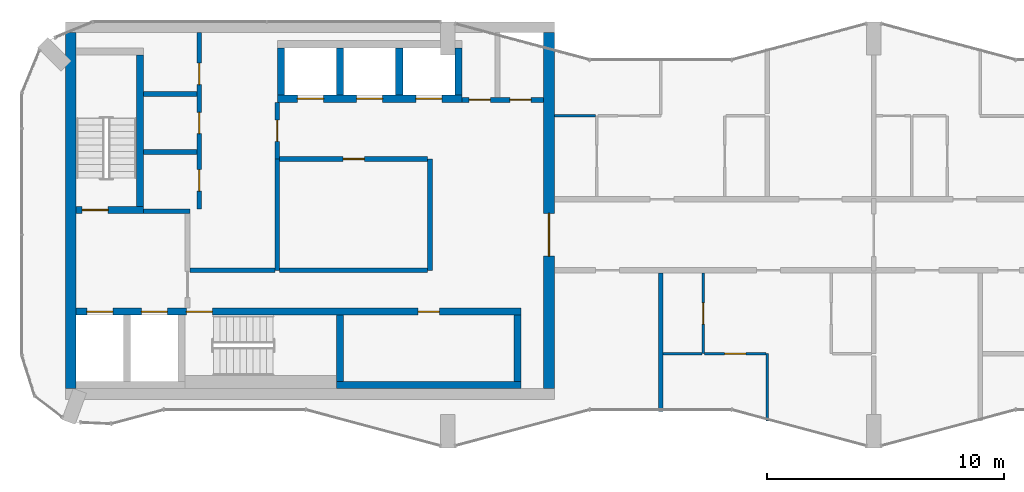
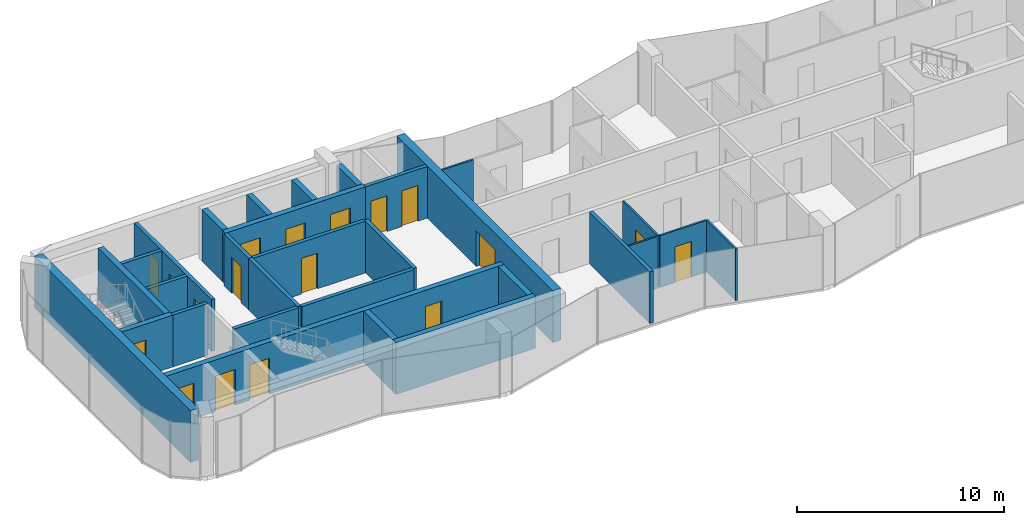
# One storey, part 7 of 10: 30 walls, 18 doors, 18 openings.
"""IFC4 building model written with IfcOpenShell, lengths in metres."""

from ifc_helpers import new_model, si_unit, direction, frame, frame_2d, origin, place, context, subcontext, project, spatial, rectangle, extrude, material, layer, layer_set, type_object, element, fill, save


model = new_model("IFC4")

# Units and contexts
model_context = context("Model", 3, precision=1e-05, world=origin(), true_north=direction((0.0, 1.0)))
body_context = subcontext(model_context, "Body", "Model", "MODEL_VIEW")
ifc_project = project(units=[si_unit("LENGTHUNIT", "METRE"), si_unit("AREAUNIT", "SQUARE_METRE"), si_unit("VOLUMEUNIT", "CUBIC_METRE"), si_unit("PLANEANGLEUNIT", "RADIAN"), si_unit("MASSUNIT", "GRAM", prefix="KILO")], contexts=[model_context])

# Site, building, storey
site_placement = place(None, origin())
site = spatial("IfcSite", under=ifc_project, at=site_placement, CompositionType="ELEMENT")
building_placement = place(site_placement, origin())
building = spatial("IfcBuilding", under=site, at=building_placement, Name="Plateau Cross Towers", CompositionType="ELEMENT")
storey_placement = place(building_placement, frame((0.0, 0.0, 284.39990234375)))
storey = spatial("IfcBuildingStorey", under=building, at=storey_placement, Name="L75", CompositionType="ELEMENT", Elevation=284.39990234375)

# Walls
ifc_material_1 = material(Name="Concrete block, plastered both sides", Category="concrete")
ifc_layer_1 = layer(ifc_material_1, 0.199951171875)
ifc_layer_set_1 = layer_set([ifc_layer_1], Name="Concrete block, plastered both sides")
wall_type_1 = type_object("IfcWallType", Name="Core partition 200", PredefinedType="PARTITIONING", material=ifc_layer_set_1)
wall_1_placement = place(storey_placement, frame((5.14990234375, 10.0, 0.0), z_axis=(0.0, 0.0, 1.0), x_axis=(1.0, 0.0, 0.0)))
element("IfcWall", 1, at=wall_1_placement, inside=storey, type_object=wall_type_1, Name="Core partition", PredefinedType="PARTITIONING", context=body_context, shape_type="SweptSolid", body=[
    extrude(rectangle(XDim=1.9501953125, YDim=0.199951171875, at=frame_2d((0.97509765625, 0.0))), origin(), (0.0, 0.0, 1.0), 3.050048828125),
])
wall_2_placement = place(storey_placement, frame((7.10009765625, 7.5, 0.0), z_axis=(0.0, 0.0, 1.0), x_axis=(1.0, 0.0, 0.0)))
element("IfcWall", 2, at=wall_2_placement, inside=storey, type_object=wall_type_1, Name="Core partition", PredefinedType="PARTITIONING", context=body_context, shape_type="SweptSolid", body=[
    extrude(rectangle(XDim=3.599853515625, YDim=0.199951171875, at=frame_2d((1.7998046875, 0.0))), origin(), (0.0, 0.0, 1.0), 3.050048828125),
])

# Wall, opening, door
wall_3_placement = place(storey_placement, frame((10.800048828125, 12.199951171875, 0.0), z_axis=(0.0, 0.0, 1.0), x_axis=(0.0, 1.0, 0.0)))
wall_3 = element("IfcWall", 3, at=wall_3_placement, inside=storey, type_object=wall_type_1, Name="Core partition", PredefinedType="PARTITIONING", context=body_context, shape_type="SweptSolid", body=[
    extrude(rectangle(XDim=2.400146484375, YDim=0.199951171875, at=frame_2d((1.2001953125, 0.0))), origin(), (0.0, 0.0, 1.0), 3.050048828125),
])
opening_1_placement = place(wall_3_placement, frame((0.75, 0.0, 0.0)))
opening_1 = element("IfcOpeningElement", 4, at=opening_1_placement, cuts=wall_3, Name="Opening RD1", PredefinedType="OPENING", context=body_context, shape_type="SweptSolid", body=[
    extrude(rectangle(XDim=0.89990234375, YDim=2.10009765625, at=frame_2d((0.449951171875, 1.050048828125))), frame((0.0, 0.10986328125, 0.0), z_axis=(0.0, -1.0, 0.0), x_axis=(1.0, 0.0, 0.0)), (0.0, 0.0, 1.0), 0.219970703125),
])
ifc_material_2 = material(Name="Timber, fire-resisting leaf", Category="wood")
door_type_1 = type_object("IfcDoorType", Name="Core service door 900", OperationType="NOTDEFINED", PredefinedType="DOOR", material=ifc_material_2)
door_1_placement = place(opening_1_placement, origin())
door_1 = element("IfcDoor", 5, at=door_1_placement, inside=storey, type_object=door_type_1, Name="Core service door RD1", OperationType="SINGLE_SWING_LEFT", OverallHeight=2.10009765625, OverallWidth=0.89990234375, PredefinedType="DOOR", context=body_context, shape_type="SweptSolid", body=[
    extrude(rectangle(XDim=0.89990234375, YDim=2.10009765625, at=frame_2d((0.449951171875, 1.050048828125))), frame((0.0, 0.02490234375, 0.0), z_axis=(0.0, -1.0, 0.0), x_axis=(1.0, 0.0, 0.0)), (0.0, 0.0, 1.0), 0.050048828125),
])
fill(opening_1, door_1)

# Walls
wall_4_placement = place(storey_placement, frame((10.800048828125, 7.5, 0.0), z_axis=(0.0, 0.0, 1.0), x_axis=(0.0, 1.0, 0.0)))
element("IfcWall", 6, at=wall_4_placement, inside=storey, type_object=wall_type_1, Name="Core partition", PredefinedType="PARTITIONING", context=body_context, shape_type="SweptSolid", body=[
    extrude(rectangle(XDim=4.699951171875, YDim=0.199951171875, at=frame_2d((2.35009765625, 0.0))), origin(), (0.0, 0.0, 1.0), 3.050048828125),
])
wall_5_placement = place(storey_placement, frame((10.89990234375, 7.5, 0.0), z_axis=(0.0, 0.0, 1.0), x_axis=(1.0, 0.0, 0.0)))
element("IfcWall", 7, at=wall_5_placement, inside=storey, type_object=wall_type_1, Name="Core partition", PredefinedType="PARTITIONING", context=body_context, shape_type="SweptSolid", body=[
    extrude(rectangle(XDim=6.25, YDim=0.199951171875, at=frame_2d((3.125, 0.0))), origin(), (0.0, 0.0, 1.0), 3.050048828125),
])
wall_6_placement = place(storey_placement, frame((17.25, 7.5, 0.0), z_axis=(0.0, 0.0, 1.0), x_axis=(0.0, 1.0, 0.0)))
element("IfcWall", 8, at=wall_6_placement, inside=storey, type_object=wall_type_1, Name="Core partition", PredefinedType="PARTITIONING", context=body_context, shape_type="SweptSolid", body=[
    extrude(rectangle(XDim=4.699951171875, YDim=0.199951171875, at=frame_2d((2.35009765625, 0.0))), origin(), (0.0, 0.0, 1.0), 3.050048828125),
])

# Wall, opening, door
wall_7_placement = place(storey_placement, frame((10.89990234375, 12.199951171875, 0.0), z_axis=(0.0, 0.0, 1.0), x_axis=(1.0, 0.0, 0.0)))
wall_7 = element("IfcWall", 9, at=wall_7_placement, inside=storey, type_object=wall_type_1, Name="Core partition", PredefinedType="PARTITIONING", context=body_context, shape_type="SweptSolid", body=[
    extrude(rectangle(XDim=6.25, YDim=0.199951171875, at=frame_2d((3.125, 0.0))), origin(), (0.0, 0.0, 1.0), 3.050048828125),
])
opening_2_placement = place(wall_7_placement, frame((2.675048828125, 0.0, 0.0)))
opening_2 = element("IfcOpeningElement", 10, at=opening_2_placement, cuts=wall_7, Name="Opening RD1", PredefinedType="OPENING", context=body_context, shape_type="SweptSolid", body=[
    extrude(rectangle(XDim=0.89990234375, YDim=2.10009765625, at=frame_2d((0.449951171875, 1.050048828125))), frame((0.0, 0.10986328125, 0.0), z_axis=(0.0, -1.0, 0.0), x_axis=(1.0, 0.0, 0.0)), (0.0, 0.0, 1.0), 0.219970703125),
])
door_2_placement = place(opening_2_placement, origin())
door_2 = element("IfcDoor", 11, at=door_2_placement, inside=storey, type_object=door_type_1, Name="Core service door RD1", OperationType="SINGLE_SWING_LEFT", OverallHeight=2.10009765625, OverallWidth=0.89990234375, PredefinedType="DOOR", context=body_context, shape_type="SweptSolid", body=[
    extrude(rectangle(XDim=0.89990234375, YDim=2.10009765625, at=frame_2d((0.449951171875, 1.050048828125))), frame((0.0, 0.02490234375, 0.0), z_axis=(0.0, -1.0, 0.0), x_axis=(1.0, 0.0, 0.0)), (0.0, 0.0, 1.0), 0.050048828125),
])
fill(opening_2, door_2)

# Wall, openings, doors
wall_8_placement = place(storey_placement, frame((7.5, 10.10009765625, 0.0), z_axis=(0.0, 0.0, 1.0), x_axis=(0.0, 1.0, 0.0)))
wall_8 = element("IfcWall", 12, at=wall_8_placement, inside=storey, type_object=wall_type_1, Name="Core partition", PredefinedType="PARTITIONING", context=body_context, shape_type="SweptSolid", body=[
    extrude(rectangle(XDim=7.449951171875, YDim=0.199951171875, at=frame_2d((3.72509765625, 0.0))), origin(), (0.0, 0.0, 1.0), 3.050048828125),
])
opening_3_placement = place(wall_8_placement, frame((0.75, 0.0, 0.0)))
opening_3 = element("IfcOpeningElement", 13, at=opening_3_placement, cuts=wall_8, Name="Opening RD1", PredefinedType="OPENING", context=body_context, shape_type="SweptSolid", body=[
    extrude(rectangle(XDim=0.89990234375, YDim=2.10009765625, at=frame_2d((0.449951171875, 1.050048828125))), frame((0.0, 0.10986328125, 0.0), z_axis=(0.0, -1.0, 0.0), x_axis=(1.0, 0.0, 0.0)), (0.0, 0.0, 1.0), 0.219970703125),
])
opening_4_placement = place(wall_8_placement, frame((3.175048828125, 0.0, 0.0)))
opening_4 = element("IfcOpeningElement", 14, at=opening_4_placement, cuts=wall_8, Name="Opening RD1", PredefinedType="OPENING", context=body_context, shape_type="SweptSolid", body=[
    extrude(rectangle(XDim=0.89990234375, YDim=2.10009765625, at=frame_2d((0.449951171875, 1.050048828125))), frame((0.0, 0.10986328125, 0.0), z_axis=(0.0, -1.0, 0.0), x_axis=(1.0, 0.0, 0.0)), (0.0, 0.0, 1.0), 0.219970703125),
])
opening_5_placement = place(wall_8_placement, frame((5.25, 0.0, 0.0)))
opening_5 = element("IfcOpeningElement", 15, at=opening_5_placement, cuts=wall_8, Name="Opening RD1", PredefinedType="OPENING", context=body_context, shape_type="SweptSolid", body=[
    extrude(rectangle(XDim=0.89990234375, YDim=2.10009765625, at=frame_2d((0.449951171875, 1.050048828125))), frame((0.0, 0.10986328125, 0.0), z_axis=(0.0, -1.0, 0.0), x_axis=(1.0, 0.0, 0.0)), (0.0, 0.0, 1.0), 0.219970703125),
])
door_3_placement = place(opening_3_placement, origin())
door_3 = element("IfcDoor", 16, at=door_3_placement, inside=storey, type_object=door_type_1, Name="Core service door RD1", OperationType="SINGLE_SWING_RIGHT", OverallHeight=2.10009765625, OverallWidth=0.89990234375, PredefinedType="DOOR", context=body_context, shape_type="SweptSolid", body=[
    extrude(rectangle(XDim=0.89990234375, YDim=2.10009765625, at=frame_2d((0.449951171875, 1.050048828125))), frame((0.0, 0.02490234375, 0.0), z_axis=(0.0, -1.0, 0.0), x_axis=(1.0, 0.0, 0.0)), (0.0, 0.0, 1.0), 0.050048828125),
])
fill(opening_3, door_3)
door_4_placement = place(opening_4_placement, origin())
door_4 = element("IfcDoor", 17, at=door_4_placement, inside=storey, type_object=door_type_1, Name="Core service door RD1", OperationType="SINGLE_SWING_RIGHT", OverallHeight=2.10009765625, OverallWidth=0.89990234375, PredefinedType="DOOR", context=body_context, shape_type="SweptSolid", body=[
    extrude(rectangle(XDim=0.89990234375, YDim=2.10009765625, at=frame_2d((0.449951171875, 1.050048828125))), frame((0.0, 0.02490234375, 0.0), z_axis=(0.0, -1.0, 0.0), x_axis=(1.0, 0.0, 0.0)), (0.0, 0.0, 1.0), 0.050048828125),
])
fill(opening_4, door_4)
door_5_placement = place(opening_5_placement, origin())
door_5 = element("IfcDoor", 18, at=door_5_placement, inside=storey, type_object=door_type_1, Name="Core service door RD1", OperationType="SINGLE_SWING_RIGHT", OverallHeight=2.10009765625, OverallWidth=0.89990234375, PredefinedType="DOOR", context=body_context, shape_type="SweptSolid", body=[
    extrude(rectangle(XDim=0.89990234375, YDim=2.10009765625, at=frame_2d((0.449951171875, 1.050048828125))), frame((0.0, 0.02490234375, 0.0), z_axis=(0.0, -1.0, 0.0), x_axis=(1.0, 0.0, 0.0)), (0.0, 0.0, 1.0), 0.050048828125),
])
fill(opening_5, door_5)

# Walls
for number, where, z_axis, x_axis, name in (
    (19, (5.14990234375, 12.5, 0.0), (0.0, 0.0, 1.0), (1.0, 0.0, 0.0), "Core partition"),
    (20, (5.14990234375, 14.949951171875, 0.0), (0.0, 0.0, 1.0), (1.0, 0.0, 0.0), "Core partition"),
):
    element("IfcWall", number, at=place(storey_placement, frame(where, z_axis=z_axis, x_axis=x_axis)), inside=storey, type_object=wall_type_1, Name=name, PredefinedType="PARTITIONING", context=body_context, shape_type="SweptSolid", body=[
        extrude(rectangle(XDim=2.25, YDim=0.199951171875, at=frame_2d((1.125, 0.0))), origin(), (0.0, 0.0, 1.0), 3.050048828125),
    ])

# Wall, openings, doors
wall_9_placement = place(storey_placement, frame((18.60009765625, 14.699951171875, 0.0), z_axis=(0.0, 0.0, 1.0), x_axis=(1.0, 0.0, 0.0)))
wall_9 = element("IfcWall", 21, at=wall_9_placement, inside=storey, type_object=wall_type_1, Name="Core partition", PredefinedType="PARTITIONING", context=body_context, shape_type="SweptSolid", body=[
    extrude(rectangle(XDim=3.449951171875, YDim=0.199951171875, at=frame_2d((1.72509765625, 0.0))), origin(), (0.0, 0.0, 1.0), 3.050048828125),
])
opening_6_placement = place(wall_9_placement, frame((0.300048828125, 0.0, 0.0)))
opening_6 = element("IfcOpeningElement", 22, at=opening_6_placement, cuts=wall_9, Name="Opening RD2", PredefinedType="OPENING", context=body_context, shape_type="SweptSolid", body=[
    extrude(rectangle(XDim=0.89990234375, YDim=2.10009765625, at=frame_2d((0.449951171875, 1.050048828125))), frame((0.0, 0.10986328125, 0.0), z_axis=(0.0, -1.0, 0.0), x_axis=(1.0, 0.0, 0.0)), (0.0, 0.0, 1.0), 0.219970703125),
])
opening_7_placement = place(wall_9_placement, frame((2.02490234375, 0.0, 0.0)))
opening_7 = element("IfcOpeningElement", 23, at=opening_7_placement, cuts=wall_9, Name="Opening RD2", PredefinedType="OPENING", context=body_context, shape_type="SweptSolid", body=[
    extrude(rectangle(XDim=0.89990234375, YDim=2.10009765625, at=frame_2d((0.449951171875, 1.050048828125))), frame((0.0, 0.10986328125, 0.0), z_axis=(0.0, -1.0, 0.0), x_axis=(1.0, 0.0, 0.0)), (0.0, 0.0, 1.0), 0.219970703125),
])
ifc_material_3 = material(Name="Steel, fire-resisting leaf", Category="steel")
door_type_2 = type_object("IfcDoorType", Name="Core riser door 900", OperationType="NOTDEFINED", PredefinedType="DOOR", material=ifc_material_3)
door_6_placement = place(opening_6_placement, origin())
door_6 = element("IfcDoor", 24, at=door_6_placement, inside=storey, type_object=door_type_2, Name="Core riser door RD2", OperationType="SINGLE_SWING_LEFT", OverallHeight=2.10009765625, OverallWidth=0.89990234375, PredefinedType="DOOR", context=body_context, shape_type="SweptSolid", body=[
    extrude(rectangle(XDim=0.89990234375, YDim=2.10009765625, at=frame_2d((0.449951171875, 1.050048828125))), frame((0.0, 0.02490234375, 0.0), z_axis=(0.0, -1.0, 0.0), x_axis=(1.0, 0.0, 0.0)), (0.0, 0.0, 1.0), 0.050048828125),
])
fill(opening_6, door_6)
door_7_placement = place(opening_7_placement, origin())
door_7 = element("IfcDoor", 25, at=door_7_placement, inside=storey, type_object=door_type_2, Name="Core riser door RD2", OperationType="SINGLE_SWING_LEFT", OverallHeight=2.10009765625, OverallWidth=0.89990234375, PredefinedType="DOOR", context=body_context, shape_type="SweptSolid", body=[
    extrude(rectangle(XDim=0.89990234375, YDim=2.10009765625, at=frame_2d((0.449951171875, 1.050048828125))), frame((0.0, 0.02490234375, 0.0), z_axis=(0.0, -1.0, 0.0), x_axis=(1.0, 0.0, 0.0)), (0.0, 0.0, 1.0), 0.050048828125),
])
fill(opening_7, door_7)

# Walls
ifc_material_4 = material(Name="Concrete C60/75", Category="concrete")
ifc_layer_2 = layer(ifc_material_4, 0.300048828125)
ifc_layer_set_2 = layer_set([ifc_layer_2], Name="Concrete C60/75")
wall_type_2 = type_object("IfcWallType", Name="Core shaft wall 300", PredefinedType="SHEAR", material=ifc_layer_set_2)
wall_10_placement = place(storey_placement, frame((13.300048828125, 2.64990234375, 0.0), z_axis=(0.0, 0.0, 1.0), x_axis=(1.0, 0.0, 0.0)))
element("IfcWall", 26, at=wall_10_placement, inside=storey, type_object=wall_type_2, Name="A-sb-back3@L75", PredefinedType="SHEAR", context=body_context, shape_type="SweptSolid", body=[
    extrude(rectangle(XDim=7.800048828125, YDim=0.300048828125, at=frame_2d((3.89990234375, 0.0))), origin(), (0.0, 0.0, 1.0), 3.050048828125),
])
for number, where, z_axis, x_axis, name in (
    (27, (13.449951171875, 2.800048828125, 0.0), (0.0, 0.0, 1.0), (0.0, 1.0, 0.0), "A-sb-v3@L75"),
    (28, (20.949951171875, 2.800048828125, 0.0), (0.0, 0.0, 1.0), (0.0, 1.0, 0.0), "A-sb-v6@L75"),
):
    element("IfcWall", number, at=place(storey_placement, frame(where, z_axis=z_axis, x_axis=x_axis)), inside=storey, type_object=wall_type_2, Name=name, PredefinedType="SHEAR", context=body_context, shape_type="SweptSolid", body=[
        extrude(rectangle(XDim=2.800048828125, YDim=0.300048828125, at=frame_2d((1.39990234375, 0.0))), origin(), (0.0, 0.0, 1.0), 3.050048828125),
    ])

# Wall, openings, doors
wall_11_placement = place(storey_placement, frame((2.300048828125, 5.75, 0.0), z_axis=(0.0, 0.0, 1.0), x_axis=(1.0, 0.0, 0.0)))
wall_11 = element("IfcWall", 29, at=wall_11_placement, inside=storey, type_object=wall_type_2, Name="A-sb-front@L75", PredefinedType="SHEAR", context=body_context, shape_type="SweptSolid", body=[
    extrude(rectangle(XDim=18.800048828125, YDim=0.300048828125, at=frame_2d((9.39990234375, 0.0))), origin(), (0.0, 0.0, 1.0), 3.050048828125),
])
opening_8_placement = place(wall_11_placement, frame((4.64990234375, 0.0, 0.0)))
opening_8 = element("IfcOpeningElement", 30, at=opening_8_placement, cuts=wall_11, Name="Opening SD", PredefinedType="OPENING", context=body_context, shape_type="SweptSolid", body=[
    extrude(rectangle(XDim=1.10009765625, YDim=2.10009765625, at=frame_2d((0.550048828125, 1.050048828125))), frame((0.0, 0.159912109375, 0.0), z_axis=(0.0, -1.0, 0.0), x_axis=(1.0, 0.0, 0.0)), (0.0, 0.0, 1.0), 0.320068359375),
])
opening_9_placement = place(wall_11_placement, frame((0.449951171875, 0.0, 0.0)))
opening_9 = element("IfcOpeningElement", 31, at=opening_9_placement, cuts=wall_11, Name="Opening LD", PredefinedType="OPENING", context=body_context, shape_type="SweptSolid", body=[
    extrude(rectangle(XDim=1.10009765625, YDim=2.10009765625, at=frame_2d((0.550048828125, 1.050048828125))), frame((0.0, 0.159912109375, 0.0), z_axis=(0.0, -1.0, 0.0), x_axis=(1.0, 0.0, 0.0)), (0.0, 0.0, 1.0), 0.320068359375),
])
opening_10_placement = place(wall_11_placement, frame((2.75, 0.0, 0.0)))
opening_10 = element("IfcOpeningElement", 32, at=opening_10_placement, cuts=wall_11, Name="Opening LD", PredefinedType="OPENING", context=body_context, shape_type="SweptSolid", body=[
    extrude(rectangle(XDim=1.10009765625, YDim=2.10009765625, at=frame_2d((0.550048828125, 1.050048828125))), frame((0.0, 0.159912109375, 0.0), z_axis=(0.0, -1.0, 0.0), x_axis=(1.0, 0.0, 0.0)), (0.0, 0.0, 1.0), 0.320068359375),
])
opening_11_placement = place(wall_11_placement, frame((14.449951171875, 0.0, 0.0)))
opening_11 = element("IfcOpeningElement", 33, at=opening_11_placement, cuts=wall_11, Name="Opening RD2", PredefinedType="OPENING", context=body_context, shape_type="SweptSolid", body=[
    extrude(rectangle(XDim=0.89990234375, YDim=2.10009765625, at=frame_2d((0.449951171875, 1.050048828125))), frame((0.0, 0.159912109375, 0.0), z_axis=(0.0, -1.0, 0.0), x_axis=(1.0, 0.0, 0.0)), (0.0, 0.0, 1.0), 0.320068359375),
])
door_8_placement = place(opening_11_placement, origin())
door_8 = element("IfcDoor", 34, at=door_8_placement, inside=storey, type_object=door_type_2, Name="Core riser door RD2", OperationType="SINGLE_SWING_LEFT", OverallHeight=2.10009765625, OverallWidth=0.89990234375, PredefinedType="DOOR", context=body_context, shape_type="SweptSolid", body=[
    extrude(rectangle(XDim=0.89990234375, YDim=2.10009765625, at=frame_2d((0.449951171875, 1.050048828125))), frame((0.0, 0.02490234375, 0.0), z_axis=(0.0, -1.0, 0.0), x_axis=(1.0, 0.0, 0.0)), (0.0, 0.0, 1.0), 0.050048828125),
])
fill(opening_11, door_8)
ifc_material_5 = material(Name="Stainless steel, fire-resisting sliding leaves", Category="steel")
door_type_3 = type_object("IfcDoorType", Name="Lift landing door 1100", OperationType="NOTDEFINED", PredefinedType="DOOR", material=ifc_material_5)
door_9_placement = place(opening_9_placement, origin())
door_9 = element("IfcDoor", 35, at=door_9_placement, inside=storey, type_object=door_type_3, Name="Lift landing door LD", OperationType="DOUBLE_DOOR_SLIDING", OverallHeight=2.10009765625, OverallWidth=1.10009765625, PredefinedType="DOOR", context=body_context, shape_type="SweptSolid", body=[
    extrude(rectangle(XDim=1.10009765625, YDim=2.10009765625, at=frame_2d((0.550048828125, 1.050048828125))), frame((0.0, 0.02490234375, 0.0), z_axis=(0.0, -1.0, 0.0), x_axis=(1.0, 0.0, 0.0)), (0.0, 0.0, 1.0), 0.050048828125),
])
fill(opening_9, door_9)
door_10_placement = place(opening_10_placement, origin())
door_10 = element("IfcDoor", 36, at=door_10_placement, inside=storey, type_object=door_type_3, Name="Lift landing door LD", OperationType="DOUBLE_DOOR_SLIDING", OverallHeight=2.10009765625, OverallWidth=1.10009765625, PredefinedType="DOOR", context=body_context, shape_type="SweptSolid", body=[
    extrude(rectangle(XDim=1.10009765625, YDim=2.10009765625, at=frame_2d((0.550048828125, 1.050048828125))), frame((0.0, 0.02490234375, 0.0), z_axis=(0.0, -1.0, 0.0), x_axis=(1.0, 0.0, 0.0)), (0.0, 0.0, 1.0), 0.050048828125),
])
fill(opening_10, door_10)
door_type_4 = type_object("IfcDoorType", Name="Stair door 1100", OperationType="NOTDEFINED", PredefinedType="DOOR", material=ifc_material_3)
door_11_placement = place(opening_8_placement, origin())
door_11 = element("IfcDoor", 37, at=door_11_placement, inside=storey, type_object=door_type_4, Name="Stair door SD", OperationType="SINGLE_SWING_LEFT", OverallHeight=2.10009765625, OverallWidth=1.10009765625, PredefinedType="DOOR", context=body_context, shape_type="SweptSolid", body=[
    extrude(rectangle(XDim=1.10009765625, YDim=2.10009765625, at=frame_2d((0.550048828125, 1.050048828125))), frame((0.0, 0.02490234375, 0.0), z_axis=(0.0, -1.0, 0.0), x_axis=(1.0, 0.0, 0.0)), (0.0, 0.0, 1.0), 0.050048828125),
])
fill(opening_8, door_11)

# Wall, opening, door
wall_12_placement = place(storey_placement, frame((2.300048828125, 10.050048828125, 0.0), z_axis=(0.0, 0.0, 1.0), x_axis=(1.0, 0.0, 0.0)))
wall_12 = element("IfcWall", 38, at=wall_12_placement, inside=storey, type_object=wall_type_2, Name="A-st1-S@L75", PredefinedType="SHEAR", context=body_context, shape_type="SweptSolid", body=[
    extrude(rectangle(XDim=2.849853515625, YDim=0.300048828125, at=frame_2d((1.4248046875, 0.0))), origin(), (0.0, 0.0, 1.0), 3.050048828125),
])
opening_12_placement = place(wall_12_placement, frame((0.25, 0.0, 0.0)))
opening_12 = element("IfcOpeningElement", 39, at=opening_12_placement, cuts=wall_12, Name="Opening SD", PredefinedType="OPENING", context=body_context, shape_type="SweptSolid", body=[
    extrude(rectangle(XDim=1.10009765625, YDim=2.10009765625, at=frame_2d((0.550048828125, 1.050048828125))), frame((0.0, 0.159912109375, 0.0), z_axis=(0.0, -1.0, 0.0), x_axis=(1.0, 0.0, 0.0)), (0.0, 0.0, 1.0), 0.320068359375),
])
door_12_placement = place(opening_12_placement, origin())
door_12 = element("IfcDoor", 40, at=door_12_placement, inside=storey, type_object=door_type_4, Name="Stair door SD", OperationType="SINGLE_SWING_RIGHT", OverallHeight=2.10009765625, OverallWidth=1.10009765625, PredefinedType="DOOR", context=body_context, shape_type="SweptSolid", body=[
    extrude(rectangle(XDim=1.10009765625, YDim=2.10009765625, at=frame_2d((0.550048828125, 1.050048828125))), frame((0.0, 0.02490234375, 0.0), z_axis=(0.0, -1.0, 0.0), x_axis=(1.0, 0.0, 0.0)), (0.0, 0.0, 1.0), 0.050048828125),
])
fill(opening_12, door_12)

# Wall
wall_13_placement = place(storey_placement, frame((5.0, 10.199951171875, 0.0), z_axis=(0.0, 0.0, 1.0), x_axis=(0.0, 1.0, 0.0)))
element("IfcWall", 41, at=wall_13_placement, inside=storey, type_object=wall_type_2, Name="A-st1-E@L75", PredefinedType="SHEAR", context=body_context, shape_type="SweptSolid", body=[
    extrude(rectangle(XDim=6.400146484375, YDim=0.300048828125, at=frame_2d((3.2001953125, 0.0))), origin(), (0.0, 0.0, 1.0), 3.050048828125),
])

# Wall, openings, doors
wall_14_placement = place(storey_placement, frame((10.800048828125, 14.75, 0.0), z_axis=(0.0, 0.0, 1.0), x_axis=(1.0, 0.0, 0.0)))
wall_14 = element("IfcWall", 42, at=wall_14_placement, inside=storey, type_object=wall_type_2, Name="A-nb-front@L75", PredefinedType="SHEAR", context=body_context, shape_type="SweptSolid", body=[
    extrude(rectangle(XDim=7.800048828125, YDim=0.300048828125, at=frame_2d((3.89990234375, 0.0))), origin(), (0.0, 0.0, 1.0), 3.050048828125),
])
opening_13_placement = place(wall_14_placement, frame((0.85009765625, 0.0, 0.0)))
opening_13 = element("IfcOpeningElement", 43, at=opening_13_placement, cuts=wall_14, Name="Opening LD", PredefinedType="OPENING", context=body_context, shape_type="SweptSolid", body=[
    extrude(rectangle(XDim=1.10009765625, YDim=2.10009765625, at=frame_2d((0.550048828125, 1.050048828125))), frame((0.0, 0.159912109375, 0.0), z_axis=(0.0, -1.0, 0.0), x_axis=(1.0, 0.0, 0.0)), (0.0, 0.0, 1.0), 0.320068359375),
])
opening_14_placement = place(wall_14_placement, frame((3.35009765625, 0.0, 0.0)))
opening_14 = element("IfcOpeningElement", 44, at=opening_14_placement, cuts=wall_14, Name="Opening LD", PredefinedType="OPENING", context=body_context, shape_type="SweptSolid", body=[
    extrude(rectangle(XDim=1.10009765625, YDim=2.10009765625, at=frame_2d((0.550048828125, 1.050048828125))), frame((0.0, 0.159912109375, 0.0), z_axis=(0.0, -1.0, 0.0), x_axis=(1.0, 0.0, 0.0)), (0.0, 0.0, 1.0), 0.320068359375),
])
opening_15_placement = place(wall_14_placement, frame((5.85009765625, 0.0, 0.0)))
opening_15 = element("IfcOpeningElement", 45, at=opening_15_placement, cuts=wall_14, Name="Opening LD", PredefinedType="OPENING", context=body_context, shape_type="SweptSolid", body=[
    extrude(rectangle(XDim=1.10009765625, YDim=2.10009765625, at=frame_2d((0.550048828125, 1.050048828125))), frame((0.0, 0.159912109375, 0.0), z_axis=(0.0, -1.0, 0.0), x_axis=(1.0, 0.0, 0.0)), (0.0, 0.0, 1.0), 0.320068359375),
])
door_13_placement = place(opening_13_placement, origin())
door_13 = element("IfcDoor", 46, at=door_13_placement, inside=storey, type_object=door_type_3, Name="Lift landing door LD", OperationType="DOUBLE_DOOR_SLIDING", OverallHeight=2.10009765625, OverallWidth=1.10009765625, PredefinedType="DOOR", context=body_context, shape_type="SweptSolid", body=[
    extrude(rectangle(XDim=1.10009765625, YDim=2.10009765625, at=frame_2d((0.550048828125, 1.050048828125))), frame((0.0, 0.02490234375, 0.0), z_axis=(0.0, -1.0, 0.0), x_axis=(1.0, 0.0, 0.0)), (0.0, 0.0, 1.0), 0.050048828125),
])
fill(opening_13, door_13)
door_14_placement = place(opening_14_placement, origin())
door_14 = element("IfcDoor", 47, at=door_14_placement, inside=storey, type_object=door_type_3, Name="Lift landing door LD", OperationType="DOUBLE_DOOR_SLIDING", OverallHeight=2.10009765625, OverallWidth=1.10009765625, PredefinedType="DOOR", context=body_context, shape_type="SweptSolid", body=[
    extrude(rectangle(XDim=1.10009765625, YDim=2.10009765625, at=frame_2d((0.550048828125, 1.050048828125))), frame((0.0, 0.02490234375, 0.0), z_axis=(0.0, -1.0, 0.0), x_axis=(1.0, 0.0, 0.0)), (0.0, 0.0, 1.0), 0.050048828125),
])
fill(opening_14, door_14)
door_15_placement = place(opening_15_placement, origin())
door_15 = element("IfcDoor", 48, at=door_15_placement, inside=storey, type_object=door_type_3, Name="Lift landing door LD", OperationType="DOUBLE_DOOR_SLIDING", OverallHeight=2.10009765625, OverallWidth=1.10009765625, PredefinedType="DOOR", context=body_context, shape_type="SweptSolid", body=[
    extrude(rectangle(XDim=1.10009765625, YDim=2.10009765625, at=frame_2d((0.550048828125, 1.050048828125))), frame((0.0, 0.02490234375, 0.0), z_axis=(0.0, -1.0, 0.0), x_axis=(1.0, 0.0, 0.0)), (0.0, 0.0, 1.0), 0.050048828125),
])
fill(opening_15, door_15)

# Walls
for number, where, z_axis, x_axis, name in (
    (49, (10.949951171875, 14.89990234375, 0.0), (0.0, 0.0, 1.0), (0.0, 1.0, 0.0), "A-nb-v1@L75"),
    (50, (13.449951171875, 14.89990234375, 0.0), (0.0, 0.0, 1.0), (0.0, 1.0, 0.0), "A-nb-v2@L75"),
    (51, (15.949951171875, 14.89990234375, 0.0), (0.0, 0.0, 1.0), (0.0, 1.0, 0.0), "A-nb-v3@L75"),
    (52, (18.449951171875, 14.89990234375, 0.0), (0.0, 0.0, 1.0), (0.0, 1.0, 0.0), "A-nb-v4@L75"),
):
    element("IfcWall", number, at=place(storey_placement, frame(where, z_axis=z_axis, x_axis=x_axis)), inside=storey, type_object=wall_type_2, Name=name, PredefinedType="SHEAR", context=body_context, shape_type="SweptSolid", body=[
        extrude(rectangle(XDim=2.0, YDim=0.300048828125, at=frame_2d((1.0, 0.0))), origin(), (0.0, 0.0, 1.0), 3.050048828125),
    ])
ifc_layer_3 = layer(ifc_material_4, 0.449951171875)
ifc_layer_set_3 = layer_set([ifc_layer_3], Name="Concrete C60/75")
wall_type_3 = type_object("IfcWallType", Name="Core shell wall 450", PredefinedType="SHEAR", material=ifc_layer_set_3)
wall_15_placement = place(storey_placement, frame((2.074951171875, 2.5, 0.0), z_axis=(0.0, 0.0, 1.0), x_axis=(0.0, 1.0, 0.0)))
element("IfcWall", 53, at=wall_15_placement, inside=storey, type_object=wall_type_3, Name="A-core-W@L75", PredefinedType="SHEAR", context=body_context, shape_type="SweptSolid", body=[
    extrude(rectangle(XDim=15.050048828125, YDim=0.449951171875, at=frame_2d((7.52490234375, 0.0))), origin(), (0.0, 0.0, 1.0), 3.050048828125),
])

# Wall, opening, door
wall_16_placement = place(storey_placement, frame((22.27490234375, 2.5, 0.0), z_axis=(0.0, 0.0, 1.0), x_axis=(0.0, 1.0, 0.0)))
wall_16 = element("IfcWall", 54, at=wall_16_placement, inside=storey, type_object=wall_type_3, Name="A-core-E@L75", PredefinedType="SHEAR", context=body_context, shape_type="SweptSolid", body=[
    extrude(rectangle(XDim=15.050048828125, YDim=0.449951171875, at=frame_2d((7.52490234375, 0.0))), origin(), (0.0, 0.0, 1.0), 3.050048828125),
])
opening_16_placement = place(wall_16_placement, frame((5.60009765625, 0.0, 0.0)))
opening_16 = element("IfcOpeningElement", 55, at=opening_16_placement, cuts=wall_16, Name="Opening CD", PredefinedType="OPENING", context=body_context, shape_type="SweptSolid", body=[
    extrude(rectangle(XDim=1.800048828125, YDim=2.10009765625, at=frame_2d((0.89990234375, 1.050048828125))), frame((0.0, 0.23486328125, 0.0), z_axis=(0.0, -1.0, 0.0), x_axis=(1.0, 0.0, 0.0)), (0.0, 0.0, 1.0), 0.469970703125),
])
ifc_material_6 = material(Name="Steel, fire-resisting leaves", Category="steel")
door_type_5 = type_object("IfcDoorType", Name="Corridor door pair 1800", OperationType="NOTDEFINED", PredefinedType="DOOR", material=ifc_material_6)
door_16_placement = place(opening_16_placement, origin())
door_16 = element("IfcDoor", 56, at=door_16_placement, inside=storey, type_object=door_type_5, Name="Corridor door pair CD", OperationType="DOUBLE_DOOR_SINGLE_SWING", OverallHeight=2.10009765625, OverallWidth=1.800048828125, PredefinedType="DOOR", context=body_context, shape_type="SweptSolid", body=[
    extrude(rectangle(XDim=1.800048828125, YDim=2.10009765625, at=frame_2d((0.89990234375, 1.050048828125))), frame((0.0, 0.02490234375, 0.0), z_axis=(0.0, -1.0, 0.0), x_axis=(1.0, 0.0, 0.0)), (0.0, 0.0, 1.0), 0.050048828125),
])
fill(opening_16, door_16)

ifc_material_7 = material(Name="Gypsum board on steel studs", Category="steel")
ifc_layer_4 = layer(ifc_material_7, 0.10009765625)
ifc_layer_set_4 = layer_set([ifc_layer_4], Name="Gypsum board on steel studs")
wall_type_4 = type_object("IfcWallType", Name="Flat partition 100", PredefinedType="PARTITIONING", material=ifc_layer_set_4)
wall_17_placement = place(storey_placement, frame((31.449951171875, 3.97509765625, 0.0), z_axis=(0.0, 0.0, 1.0), x_axis=(-1.0, 0.0, 0.0)))
wall_17 = element("IfcWall", 57, at=wall_17_placement, inside=storey, type_object=wall_type_4, Name="Partition wall", PredefinedType="PARTITIONING", context=body_context, shape_type="SweptSolid", body=[
    extrude(rectangle(XDim=2.599853515625, YDim=0.10009765625, at=frame_2d((1.2998046875, 0.0))), origin(), (0.0, 0.0, 1.0), 3.050048828125),
])
opening_17_placement = place(wall_17_placement, frame((0.85009765625, 0.0, 0.0)))
opening_17 = element("IfcOpeningElement", 58, at=opening_17_placement, cuts=wall_17, Name="Opening 75-13", PredefinedType="OPENING", context=body_context, shape_type="SweptSolid", body=[
    extrude(rectangle(XDim=0.89990234375, YDim=2.10009765625, at=frame_2d((0.449951171875, 1.050048828125))), frame((0.0, 0.06005859375, 0.0), z_axis=(0.0, -1.0, 0.0), x_axis=(1.0, 0.0, 0.0)), (0.0, 0.0, 1.0), 0.1201171875),
])
ifc_material_8 = material(Name="Timber leaf", Category="wood")
door_type_6 = type_object("IfcDoorType", Name="Flat room door 900", OperationType="NOTDEFINED", PredefinedType="DOOR", material=ifc_material_8)
door_17_placement = place(opening_17_placement, origin())
door_17 = element("IfcDoor", 59, at=door_17_placement, inside=storey, type_object=door_type_6, Name="Door 75-13", OperationType="SINGLE_SWING_RIGHT", OverallHeight=2.10009765625, OverallWidth=0.89990234375, PredefinedType="DOOR", context=body_context, shape_type="SweptSolid", body=[
    extrude(rectangle(XDim=0.89990234375, YDim=2.10009765625, at=frame_2d((0.449951171875, 1.050048828125))), frame((0.0, 0.02490234375, 0.0), z_axis=(0.0, -1.0, 0.0), x_axis=(1.0, 0.0, 0.0)), (0.0, 0.0, 1.0), 0.050048828125),
])
fill(opening_17, door_17)

# Walls
wall_18_placement = place(storey_placement, frame((27.10009765625, 3.97509765625, 0.0), z_axis=(0.0, 0.0, 1.0), x_axis=(1.0, 0.0, 0.0)))
element("IfcWall", 60, at=wall_18_placement, inside=storey, type_object=wall_type_4, Name="Partition wall", PredefinedType="PARTITIONING", context=body_context, shape_type="SweptSolid", body=[
    extrude(rectangle(XDim=1.64990234375, YDim=0.10009765625, at=frame_2d((0.824951171875, 0.0))), origin(), (0.0, 0.0, 1.0), 3.050048828125),
])
wall_19_placement = place(storey_placement, frame((24.25, 14.02490234375, 0.0), z_axis=(0.0, 0.0, 1.0), x_axis=(-1.0, 0.0, 0.0)))
element("IfcWall", 61, at=wall_19_placement, inside=storey, type_object=wall_type_4, Name="Partition wall", PredefinedType="PARTITIONING", context=body_context, shape_type="SweptSolid", body=[
    extrude(rectangle(XDim=1.75, YDim=0.10009765625, at=frame_2d((0.875, 0.0))), origin(), (0.0, 0.0, 1.0), 3.050048828125),
])

# Wall, opening, door
wall_20_placement = place(storey_placement, frame((28.800048828125, 3.97509765625, 0.0), z_axis=(0.0, 0.0, 1.0), x_axis=(0.0, 1.0, 0.0)))
wall_20 = element("IfcWall", 62, at=wall_20_placement, inside=storey, type_object=wall_type_4, Name="Partition wall", PredefinedType="PARTITIONING", context=body_context, shape_type="SweptSolid", body=[
    extrude(rectangle(XDim=3.39990234375, YDim=0.10009765625, at=frame_2d((1.699951171875, 0.0))), origin(), (0.0, 0.0, 1.0), 3.050048828125),
])
opening_18_placement = place(wall_20_placement, frame((1.25, 0.0, 0.0)))
opening_18 = element("IfcOpeningElement", 63, at=opening_18_placement, cuts=wall_20, Name="Opening 75-11", PredefinedType="OPENING", context=body_context, shape_type="SweptSolid", body=[
    extrude(rectangle(XDim=0.89990234375, YDim=2.10009765625, at=frame_2d((0.449951171875, 1.050048828125))), frame((0.0, 0.06005859375, 0.0), z_axis=(0.0, -1.0, 0.0), x_axis=(1.0, 0.0, 0.0)), (0.0, 0.0, 1.0), 0.1201171875),
])
door_18_placement = place(opening_18_placement, origin())
door_18 = element("IfcDoor", 64, at=door_18_placement, inside=storey, type_object=door_type_6, Name="Door 75-11", OperationType="SINGLE_SWING_LEFT", OverallHeight=2.10009765625, OverallWidth=0.89990234375, PredefinedType="DOOR", context=body_context, shape_type="SweptSolid", body=[
    extrude(rectangle(XDim=0.89990234375, YDim=2.10009765625, at=frame_2d((0.449951171875, 1.050048828125))), frame((0.0, 0.02490234375, 0.0), z_axis=(0.0, -1.0, 0.0), x_axis=(1.0, 0.0, 0.0)), (0.0, 0.0, 1.0), 0.050048828125),
])
fill(opening_18, door_18)

# Walls
wall_21_placement = place(storey_placement, frame((31.5, 1.122314453125, 0.0), z_axis=(0.0, 0.0, 1.0), x_axis=(0.0, 1.0, 0.0)))
element("IfcWall", 65, at=wall_21_placement, inside=storey, type_object=wall_type_4, Name="Partition wall", PredefinedType="PARTITIONING", context=body_context, shape_type="SweptSolid", body=[
    extrude(rectangle(XDim=2.852783203125, YDim=0.10009765625, at=frame_2d((1.42626953125, 0.0))), origin(), (0.0, 0.0, 1.0), 3.050048828125),
])
ifc_material_9 = material(Name="Gypsum board on steel studs, two layers each side", Category="steel")
ifc_layer_5 = layer(ifc_material_9, 0.199951171875)
ifc_layer_set_5 = layer_set([ifc_layer_5], Name="Gypsum board on steel studs, two layers each side")
wall_type_5 = type_object("IfcWallType", Name="Flat party wall 200", PredefinedType="PARTITIONING", material=ifc_layer_set_5)
wall_22_placement = place(storey_placement, frame((27.0, 1.52685546875, 0.0), z_axis=(0.0, 0.0, 1.0), x_axis=(0.0, 1.0, 0.0)))
element("IfcWall", 66, at=wall_22_placement, inside=storey, type_object=wall_type_5, Name="Party wall", PredefinedType="PARTITIONING", context=body_context, shape_type="SweptSolid", body=[
    extrude(rectangle(XDim=5.84814453125, YDim=0.199951171875, at=frame_2d((2.924072265625, 0.0))), origin(), (0.0, 0.0, 1.0), 3.050048828125),
])

save(model, "model.ifc")
